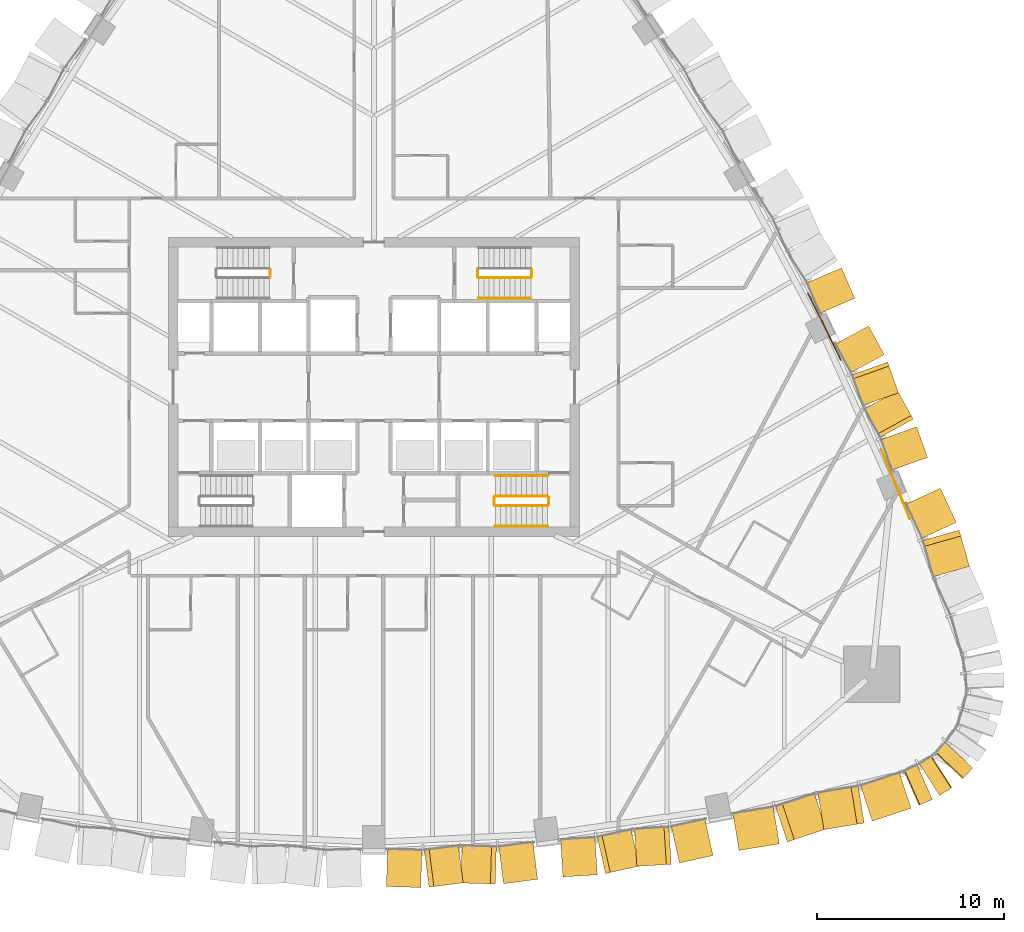
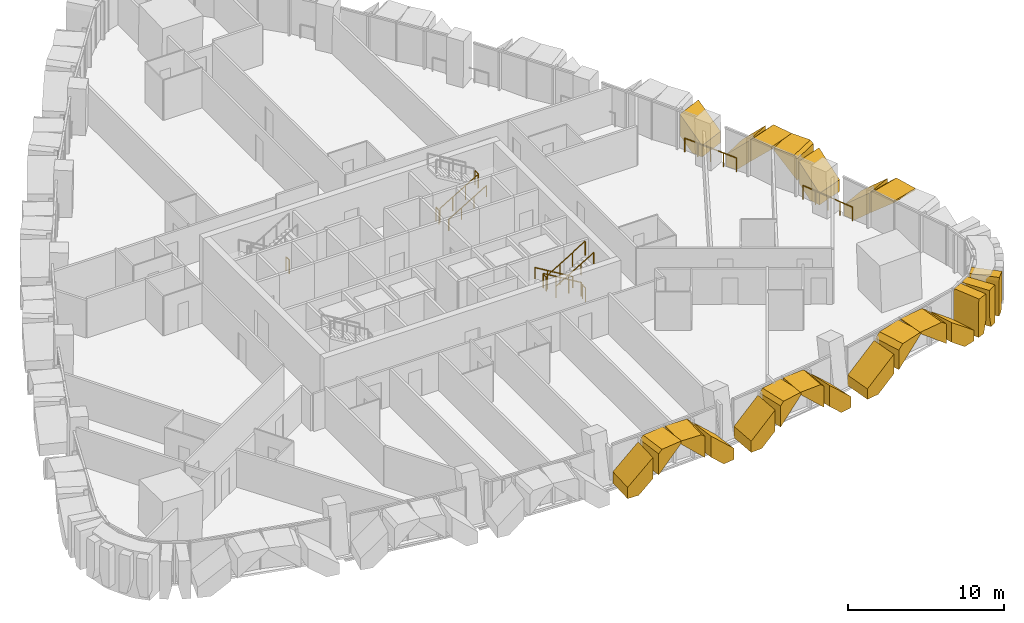
# One storey, part 19 of 22: 22 coverings, 13 railings.
"""IFC4 building model written with IfcOpenShell, lengths in metres."""

from ifc_helpers import new_model, si_unit, direction, frame, origin, origin_2d, place, context, subcontext, project, spatial, polyline, circle, outline, extrude, material, layer, layer_set, type_object, element, save


model = new_model("IFC4")

# Units and contexts
model_context = context("Model", 3, precision=1e-05, world=origin(), true_north=direction((0.0, 1.0)))
body_context = subcontext(model_context, "Body", "Model", "MODEL_VIEW")
ifc_project = project(units=[si_unit("LENGTHUNIT", "METRE"), si_unit("AREAUNIT", "SQUARE_METRE"), si_unit("VOLUMEUNIT", "CUBIC_METRE"), si_unit("PLANEANGLEUNIT", "RADIAN"), si_unit("MASSUNIT", "GRAM", prefix="KILO")], contexts=[model_context])

# Site, building, storey
site_placement = place(None, origin())
site = spatial("IfcSite", under=ifc_project, at=site_placement, CompositionType="ELEMENT")
building_placement = place(site_placement, origin())
building = spatial("IfcBuilding", under=site, at=building_placement, Name="Sierra Prisma Convention Tower", CompositionType="ELEMENT")
storey_placement = place(building_placement, frame((0.0, 0.0, 66.5)))
storey = spatial("IfcBuildingStorey", under=building, at=storey_placement, Name="L12", CompositionType="ELEMENT", Elevation=66.5)

# Coverings
ifc_material_1 = material(Name="Aluminium 6063-T6 bronze anodised", Category="aluminium")
ifc_layer = layer(ifc_material_1, 2.0)
ifc_layer_set = layer_set([ifc_layer], Name="Bronze crystal chevron frame")
covering_type = type_object("IfcCoveringType", Name="Bronze crystal chevron frame", PredefinedType="CLADDING", material=ifc_layer_set)
covering_1_placement = place(storey_placement, frame((0.666259765625, -26.74560546875, 0.0), z_axis=(-0.031413973016, -0.999506459355, 2.463862e-06), x_axis=(0.999506459358, -0.031413973016, -1.9e-11)))
element("IfcCovering", 1, at=covering_1_placement, inside=storey, type_object=covering_type, Name="CW-2 chevron frame S4.1.1", PredefinedType="CLADDING", context=body_context, shape_type="SweptSolid", body=[
    extrude(outline(polyline([(0.0, 0.0), (0.8158325296445422, -1.3234889800848443e-23), (1.8419734671759855, 0.9650878906625727), (1.8419734671450005, 2.612548828157572), (-1.655324713621479e-11, 0.8801269531223285), (0.0, 0.0)])), origin(), (0.0, 0.0, -1.0), 2.0),
])
covering_2_placement = place(storey_placement, frame((2.9501953125, -26.782470703125, 2.73486328125), z_axis=(0.125270187992, -0.992122663215, 3.3695027e-05), x_axis=(4.220982e-06, -3.34296e-05, -0.999999999432)))
element("IfcCovering", 2, at=covering_2_placement, inside=storey, type_object=covering_type, Name="CW-2 chevron frame S4.1.2", PredefinedType="CLADDING", context=body_context, shape_type="SweptSolid", body=[
    extrude(outline(polyline([(0.0, 0.0), (1.6474609365647737, 1.3954536933769577e-21), (-0.08496093773006458, 1.841656822128113), (-0.24511718763914753, 1.841656822128113), (-0.24511718969143445, 0.2606064712260061), (0.0, 0.0)])), origin(), (0.0, 0.0, -1.0), 2.0),
])
covering_3_placement = place(storey_placement, frame((4.6533203125, -26.5576171875, 2.97998046875), z_axis=(-0.031409418613, -0.999506600932, 5.5824783e-05), x_axis=(-1.753424e-06, -5.5797239e-05, -0.999999998442)))
element("IfcCovering", 3, at=covering_3_placement, inside=storey, type_object=covering_type, Name="CW-2 chevron frame S4.2.1", PredefinedType="CLADDING", context=body_context, shape_type="SweptSolid", body=[
    extrude(outline(polyline([(0.0, 0.0), (0.16015624975044404, 0.0), (1.8925781228148635, 1.8417294470192263), (0.2451171878819424, 1.8417294470192263), (-5.633269692584832e-09, 1.5810992065186444), (0.0, 0.0)])), origin(), (0.0, 0.0, -1.0), 2.0),
])
covering_4_placement = place(storey_placement, frame((8.764404296875, -26.36376953125, 0.0), z_axis=(0.125235705145, -0.992127016208, -4.3201949e-05), x_axis=(5.410427e-06, -4.2861821e-05, 0.999999999067)))
element("IfcCovering", 4, at=covering_4_placement, inside=storey, type_object=covering_type, Name="CW-2 chevron frame S4.2.2", PredefinedType="CLADDING", context=body_context, shape_type="SweptSolid", body=[
    extrude(outline(polyline([(0.0, 0.0), (0.8801269523036619, 0.0), (2.6125488274882067, 1.8418990392387184), (0.9650878915256241, 1.8418990392387184), (-4.7175113326491374e-09, 0.8157347623533355), (0.0, 0.0)])), origin(), (0.0, 0.0, -1.0), 2.0),
])
covering_5_placement = place(storey_placement, frame((10.12109375, -26.23388671875, 0.0), z_axis=(0.062958941546, -0.998016116406, 5.5443445e-05), x_axis=(0.99801611794, 0.062958941642, -9.508e-09)))
element("IfcCovering", 5, at=covering_5_placement, inside=storey, type_object=covering_type, Name="CW-2 chevron frame S5.1.1", PredefinedType="CLADDING", context=body_context, shape_type="SweptSolid", body=[
    extrude(outline(polyline([(0.0, 0.0), (0.8165525340398814, -4.235164736271502e-22), (1.8449721631125364, 0.9658203315263547), (1.8449721474601688, 2.6120605633711036), (-8.361238044253312e-09, 0.8793945298983814), (0.0, 0.0)])), origin(), (0.0, 0.0, -1.0), 2.0),
])
covering_6_placement = place(storey_placement, frame((12.4013671875, -26.05517578125, 2.734130859375), z_axis=(0.218360287492, -0.975868221026, -6.152207e-06), x_axis=(-1.343398e-06, 6.003743e-06, -0.999999999981)))
element("IfcCovering", 6, at=covering_6_placement, inside=storey, type_object=covering_type, Name="CW-2 chevron frame S5.1.2", PredefinedType="CLADDING", context=body_context, shape_type="SweptSolid", body=[
    extrude(outline(polyline([(0.0, 0.0), (1.6462402343438454, -3.486049294028166e-22), (-0.08642578125766974, 1.8448112149294307), (-0.2458496093796527, 1.8448112149294307), (-0.24584960944799644, 0.2616832193570968), (0.0, 0.0)])), origin(), (0.0, 0.0, -1.0), 2.0),
])
covering_7_placement = place(storey_placement, frame((14.078857421875, -25.669921875, 2.97998046875), z_axis=(0.062981388515, -0.998014700442, -4.9022079e-05), x_axis=(-3.087479e-06, 4.8924756e-05, -0.999999998798)))
element("IfcCovering", 7, at=covering_7_placement, inside=storey, type_object=covering_type, Name="CW-2 chevron frame S5.2.1", PredefinedType="CLADDING", context=body_context, shape_type="SweptSolid", body=[
    extrude(outline(polyline([(0.0, 0.0), (0.15942382793343918, -1.3503723499928177e-22), (1.8920898420673158, 1.8449721730332358), (0.2458496096704085, 1.8449721730332358), (-4.339307314705429e-09, 1.5829710793121736), (0.0, 0.0)])), origin(), (0.0, 0.0, -1.0), 2.0),
])
covering_8_placement = place(storey_placement, frame((18.159423828125, -25.08837890625, 0.0), z_axis=(0.21835428884, -0.975869563232, -1.0175285e-05), x_axis=(2.221817e-06, -9.929751e-06, 0.999999999948)))
element("IfcCovering", 8, at=covering_8_placement, inside=storey, type_object=covering_type, Name="CW-2 chevron frame S5.2.2", PredefinedType="CLADDING", context=body_context, shape_type="SweptSolid", body=[
    extrude(outline(polyline([(0.0, 0.0), (0.8793945312044754, -3.724380708020007e-22), (2.612060546839776, 1.844811214903875), (0.9658203125499989, 1.844811214903875), (-2.6149520203069914e-10, 0.8163234901979212), (0.0, 0.0)])), origin(), (0.0, 0.0, -1.0), 2.0),
])
covering_9_placement = place(storey_placement, frame((19.548828125, -24.816162109375, 0.0), z_axis=(0.161106285248, -0.986937061597, 3.604171e-05), x_axis=(0.986937062239, 0.161106285352, -3.394e-09)))
element("IfcCovering", 9, at=covering_9_placement, inside=storey, type_object=covering_type, Name="CW-2 chevron frame S6.1.1", PredefinedType="CLADDING", context=body_context, shape_type="SweptSolid", body=[
    extrude(outline(polyline([(0.0, 0.0), (0.9006677190209195, 8.470329472543003e-22), (2.1880116643637058, 1.029785164344298), (2.1880116591488785, 2.5664062570962587), (-2.7706359507305715e-09, 0.8164062494697422), (0.0, 0.0)])), origin(), (0.0, 0.0, -1.0), 2.0),
])
covering_10_placement = place(storey_placement, frame((22.13916015625, -24.358154296875, 2.67041015625), z_axis=(0.313536643792, -0.949576097634, 8.832467e-05), x_axis=(2.7693021e-05, -8.3870995e-05, -0.999999996099)))
element("IfcCovering", 10, at=covering_10_placement, inside=storey, type_object=covering_type, Name="CW-2 chevron frame S6.1.2", PredefinedType="CLADDING", context=body_context, shape_type="SweptSolid", body=[
    extrude(outline(polyline([(0.0, 0.0), (1.5366210877562194, 0.0), (-0.21337890783272376, 2.187971336640772), (-0.3095703137075173, 2.187971336640772), (-0.3095703264454914, 0.38725655708810175), (0.0, 0.0)])), origin(), (0.0, 0.0, -1.0), 2.0),
])
covering_11_placement = place(storey_placement, frame((24.09619140625, -23.70166015625, 2.97998046875), z_axis=(0.161114038621, -0.986935794475, -6.4365629e-05), x_axis=(-1.0370206e-05, 6.3524743e-05, -0.999999997929)))
element("IfcCovering", 11, at=covering_11_placement, inside=storey, type_object=covering_type, Name="CW-2 chevron frame S6.2.1", PredefinedType="CLADDING", context=body_context, shape_type="SweptSolid", body=[
    extrude(outline(polyline([(0.0, 0.0), (0.09619140605074267, 1.6295458067294645e-22), (1.8461914037082046, 2.1880116680825483), (0.3095703131412647, 2.1880116680825483), (-6.764634733218735e-09, 1.8008535344093262), (0.0, 0.0)])), origin(), (0.0, 0.0, -1.0), 2.0),
])
covering_12_placement = place(storey_placement, frame((28.76416015625, -22.5576171875, 0.0), z_axis=(0.313494627853, -0.949589972656, -4.624123e-05), x_axis=(1.4496377e-05, -4.3910209e-05, 0.999999998931)))
element("IfcCovering", 12, at=covering_12_placement, inside=storey, type_object=covering_type, Name="CW-2 chevron frame S6.2.2", PredefinedType="CLADDING", context=body_context, shape_type="SweptSolid", body=[
    extrude(outline(polyline([(0.0, 0.0), (0.8164062491271591, -1.3830459841886623e-21), (2.5664062494581286, 2.188203166778721), (1.0297851573509698, 2.188203166778721), (-5.031363967352608e-09, 0.9005892255752622), (0.0, 0.0)])), origin(), (0.0, 0.0, -1.0), 2.0),
])
covering_13_placement = place(storey_placement, frame((29.181884765625, -22.3974609375, 0.0), z_axis=(0.401662835594, -0.91578762076, 1.2882065e-05), x_axis=(0.915787620836, 0.401662835627, 7.2e-11)))
element("IfcCovering", 13, at=covering_13_placement, inside=storey, type_object=covering_type, Name="CW-2 chevron frame SE1.1.1", PredefinedType="CLADDING", context=body_context, shape_type="SweptSolid", body=[
    extrude(outline(polyline([(0.0, 0.0), (0.55797606775266, 0.0), (0.7859111213284946, 0.9257812499025428), (0.7859111214757843, 2.979980468482098), (0.05575014514344629, 2.979980469457753), (1.9745992206583128e-10, 2.753906249771498), (0.0, 0.0)])), origin(), (0.0, 0.0, -1.0), 2.0),
])
covering_14_placement = place(storey_placement, frame((30.29248046875, -21.872314453125, 2.97998046875), z_axis=(0.539976168439, -0.841680305977, -6.90958e-06), x_axis=(-3.731008e-06, 5.815657e-06, -0.999999999976)))
element("IfcCovering", 14, at=covering_14_placement, inside=storey, type_object=covering_type, Name="CW-2 chevron frame SE1.1.2", PredefinedType="CLADDING", context=body_context, shape_type="SweptSolid", body=[
    extrude(outline(polyline([(0.0, 0.0), (2.054199218700964, 0.0), (2.979980469228092, 0.22775073952826577), (2.97998046875466, 0.7857887035440834), (0.2260742188203987, 0.7857887035440834), (3.2671750468473524e-10, 0.7301198345325846), (0.0, 0.0)])), origin(), (0.0, 0.0, -1.0), 2.0),
])
covering_15_placement = place(storey_placement, frame((31.5244140625, -20.97509765625, 0.0), z_axis=(0.726428871916, -0.687241654767, -4.4720596e-05), x_axis=(0.687241655454, 0.726428872643, -6.416e-09)))
element("IfcCovering", 15, at=covering_15_placement, inside=storey, type_object=covering_type, Name="CW-2 chevron frame SE2.1.1", PredefinedType="CLADDING", context=body_context, shape_type="SweptSolid", body=[
    extrude(outline(polyline([(0.0, 0.0), (0.5578225897581908, 1.6940658945086007e-21), (0.7857835014092116, 0.9257812550951602), (0.785783488228863, 2.979980471791031), (0.05560488905639968, 2.979980473272366), (-1.7669875410053793e-08, 2.7539062472461877), (0.0, 0.0)])), origin(), (0.0, 0.0, -1.0), 2.0),
])
covering_16_placement = place(storey_placement, frame((31.888671875, -9.608642578125, 2.97998046875), z_axis=(0.962100542273, 0.272694969692, 7.902727e-06), x_axis=(7.603218e-06, 2.155034e-06, -0.999999999969)))
element("IfcCovering", 16, at=covering_16_placement, inside=storey, type_object=covering_type, Name="CW-2 chevron frame NE1.2.1", PredefinedType="CLADDING", context=body_context, shape_type="SweptSolid", body=[
    extrude(outline(polyline([(0.0, 0.0), (0.12402343749612717, 0.0), (1.86621093745932, 2.0206736242612617), (0.2817382812587977, 2.0206736242612617), (-1.0670087772387507e-10, 1.6938378912468188), (0.0, 0.0)])), origin(), (0.0, 0.0, -1.0), 2.0),
])
covering_17_placement = place(storey_placement, frame((30.335205078125, -5.414794921875, 0.0), z_axis=(0.907588310429, 0.419861236357, 3.1252443e-05), x_axis=(-2.8364352e-05, -1.3121689e-05, 0.999999999512)))
element("IfcCovering", 17, at=covering_17_placement, inside=storey, type_object=covering_type, Name="CW-2 chevron frame NE1.2.2", PredefinedType="CLADDING", context=body_context, shape_type="SweptSolid", body=[
    extrude(outline(polyline([(0.0, 0.0), (0.843994140212829, 0.0), (2.586181640340403, 2.0207082979316713), (1.0017089848641922, 2.0207082979316713), (-2.3719204354392736e-09, 0.8586808922625732), (0.0, 0.0)])), origin(), (0.0, 0.0, -1.0), 2.0),
])
covering_18_placement = place(storey_placement, frame((29.64404296875, -3.769287109375, 0.0), z_axis=(0.94177379564, 0.336247107914, -1.6320983e-05), x_axis=(-0.336247107958, 0.941773795765, -8.71e-10)))
element("IfcCovering", 18, at=covering_18_placement, inside=storey, type_object=covering_type, Name="CW-2 chevron frame NE2.1.1", PredefinedType="CLADDING", context=body_context, shape_type="SweptSolid", body=[
    extrude(outline(polyline([(0.0, 0.0), (0.7927553977880705, 8.470329472543003e-22), (1.7433491404710089, 0.941162111019157), (1.7433491389995823, 2.6301269545442088), (-7.87398252323444e-10, 0.9038085936296243), (0.0, 0.0)])), origin(), (0.0, 0.0, -1.0), 2.0),
])
covering_19_placement = place(storey_placement, frame((28.87646484375, -1.722900390625, 2.7587890625), z_axis=(0.877532688021, 0.479516820342, 2.1553557e-05), x_axis=(1.8913951e-05, 1.0335293e-05, -0.999999999768)))
element("IfcCovering", 19, at=covering_19_placement, inside=storey, type_object=covering_type, Name="CW-2 chevron frame NE2.1.2", PredefinedType="CLADDING", context=body_context, shape_type="SweptSolid", body=[
    extrude(outline(polyline([(0.0, 0.0), (1.6887207027327475, 0.0), (-0.03735351571907936, 1.7432825726675405), (-0.22119140630137787, 1.7432825726675405), (-0.22119140717128588, 0.22342935371660133), (0.0, 0.0)])), origin(), (0.0, 0.0, -1.0), 2.0),
])
covering_20_placement = place(storey_placement, frame((28.09130859375, -0.306396484375, 2.97998046875), z_axis=(0.941777914804, 0.336235569879, -2.71148e-05), x_axis=(-2.553612e-05, -9.11696e-06, -0.999999999632)))
element("IfcCovering", 20, at=covering_20_placement, inside=storey, type_object=covering_type, Name="CW-2 chevron frame NE2.2.1", PredefinedType="CLADDING", context=body_context, shape_type="SweptSolid", body=[
    extrude(outline(polyline([(0.0, 0.0), (0.18383789055742006, -3.114335006262149e-22), (1.909912108835527, 1.7433491413483047), (0.22119140633131135, 1.7433491413483047), (-1.3767282497467834e-09, 1.5198693761089388), (0.0, 0.0)])), origin(), (0.0, 0.0, -1.0), 2.0),
])
covering_21_placement = place(storey_placement, frame((26.48779296875, 3.27001953125, 0.0), z_axis=(0.877565567726, 0.479456644842, -7.707048e-06), x_axis=(6.76344e-06, 3.695195e-06, 0.99999999997)))
element("IfcCovering", 21, at=covering_21_placement, inside=storey, type_object=covering_type, Name="CW-2 chevron frame NE2.2.2", PredefinedType="CLADDING", context=body_context, shape_type="SweptSolid", body=[
    extrude(outline(polyline([(0.0, 0.0), (0.9038085937231576, 3.8277782845891356e-22), (2.630126953102791, 1.7434968176482122), (0.941162109402952, 1.7434968176482122), (-1.540070837522238e-10, 0.7928652012044045), (0.0, 0.0)])), origin(), (0.0, 0.0, -1.0), 2.0),
])
covering_22_placement = place(storey_placement, frame((25.748046875, 4.753662109375, 0.0), z_axis=(0.917254827385, 0.398300867383, 2.6104817e-05), x_axis=(-0.398300867519, 0.917254827697, -2.19e-09)))
element("IfcCovering", 22, at=covering_22_placement, inside=storey, type_object=covering_type, Name="CW-2 chevron frame NE3.1.1", PredefinedType="CLADDING", context=body_context, shape_type="SweptSolid", body=[
    extrude(outline(polyline([(0.0, 0.0), (0.8000611924242522, 8.470329472543003e-22), (1.7750614623374295, 0.949218754209928), (1.7750614586704418, 2.62402344113927), (-1.9612503663895206e-09, 0.8957519528197897), (0.0, 0.0)])), origin(), (0.0, 0.0, -1.0), 2.0),
])

# Railings
ifc_material_2 = material(Name="Stainless steel", Category="steel")
railing_type_1 = type_object("IfcRailingType", Name="Exit stair handrail", PredefinedType="HANDRAIL", material=ifc_material_2)
railing_1_placement = place(storey_placement, frame((9.300048828125, -4.75, 0.168212890625)))
element("IfcRailing", 23, at=railing_1_placement, inside=storey, type_object=railing_type_1, Name="L12 S2 stair handrail 1", PredefinedType="HANDRAIL", context=body_context, shape_type="SweptSolid", body=[
    extrude(circle(Radius=0.02392578125, at=origin_2d()), frame((0.0, 0.0, 0.8759765625), z_axis=(-0.857242210791, 0.0, 0.514913383045), x_axis=(0.0, -1.0, 0.0)), (0.0, 0.0, 1.0), 3.266357421875),
    extrude(circle(Radius=0.02099609375, at=origin_2d()), origin(), (0.0, 0.0, 1.0), 0.851806640625),
    extrude(circle(Radius=0.02099609375, at=origin_2d()), frame((-0.933349609375, 0.0, 0.560546875)), (0.0, 0.0, 1.0), 0.851806640625),
    extrude(circle(Radius=0.02099609375, at=origin_2d()), frame((-1.86669921875, 0.0, 1.121337890625)), (0.0, 0.0, 1.0), 0.851806640625),
    extrude(circle(Radius=0.02099609375, at=origin_2d()), frame((-2.800048828125, 0.0, 1.681884765625)), (0.0, 0.0, 1.0), 0.851806640625),
])
railing_2_placement = place(storey_placement, frame((6.5, -7.449951171875, 2.01806640625)))
element("IfcRailing", 24, at=railing_2_placement, inside=storey, type_object=railing_type_1, Name="L12 S2 stair handrail 2", PredefinedType="HANDRAIL", context=body_context, shape_type="SweptSolid", body=[
    extrude(circle(Radius=0.02392578125, at=origin_2d()), frame((0.0, 0.0, 0.8759765625), z_axis=(0.857242210791, 0.0, 0.514913383045), x_axis=(0.0, 1.0, 0.0)), (0.0, 0.0, 1.0), 3.266357421875),
    extrude(circle(Radius=0.02099609375, at=origin_2d()), origin(), (0.0, 0.0, 1.0), 0.851806640625),
    extrude(circle(Radius=0.02099609375, at=origin_2d()), frame((0.933349609375, 0.0, 0.560546875)), (0.0, 0.0, 1.0), 0.851806640625),
    extrude(circle(Radius=0.02099609375, at=origin_2d()), frame((1.86669921875, 0.0, 1.121337890625)), (0.0, 0.0, 1.0), 0.851806640625),
    extrude(circle(Radius=0.02099609375, at=origin_2d()), frame((2.800048828125, 0.0, 1.681884765625)), (0.0, 0.0, 1.0), 0.851806640625),
])
railing_3_placement = place(storey_placement, frame((5.60009765625, 4.75, 0.168212890625)))
element("IfcRailing", 25, at=railing_3_placement, inside=storey, type_object=railing_type_1, Name="L12 S4 stair handrail 1", PredefinedType="HANDRAIL", context=body_context, shape_type="SweptSolid", body=[
    extrude(circle(Radius=0.02392578125, at=origin_2d()), frame((0.0, 0.0, 0.8759765625), z_axis=(0.857222391501, 0.0, 0.514946377315), x_axis=(0.0, 1.0, 0.0)), (0.0, 0.0, 1.0), 3.26611328125),
    extrude(circle(Radius=0.02099609375, at=origin_2d()), origin(), (0.0, 0.0, 1.0), 0.851806640625),
    extrude(circle(Radius=0.02099609375, at=origin_2d()), frame((0.933349609375, 0.0, 0.560546875)), (0.0, 0.0, 1.0), 0.851806640625),
    extrude(circle(Radius=0.02099609375, at=origin_2d()), frame((1.866455078125, 0.0, 1.121337890625)), (0.0, 0.0, 1.0), 0.851806640625),
    extrude(circle(Radius=0.02099609375, at=origin_2d()), frame((2.7998046875, 0.0, 1.681884765625)), (0.0, 0.0, 1.0), 0.851806640625),
])
ifc_material_3 = material(Name="Bronze anodised aluminium", Category="aluminium")
railing_type_2 = type_object("IfcRailingType", Name="Facade guard 1100", PredefinedType="GUARDRAIL", material=ifc_material_3)
railing_4_placement = place(storey_placement, frame((28.694091796875, -7.048095703125, 0.0)))
element("IfcRailing", 26, at=railing_4_placement, inside=storey, type_object=railing_type_2, Name="Facade guard", PredefinedType="GUARDRAIL", context=body_context, shape_type="SweptSolid", body=[
    extrude(circle(Radius=0.02392578125, at=origin_2d()), frame((0.0, 0.0, 1.076171875), z_axis=(-0.374168240023, 0.927360840319, 0.0), x_axis=(-0.927360840319, -0.374168240023, 0.0)), (0.0, 0.0, 1.0), 0.99951171875),
    extrude(circle(Radius=0.02392578125, at=origin_2d()), frame((-0.3740234375, 0.927001953125, 1.076171875), z_axis=(-0.37612678637, 0.92656820611, 0.0), x_axis=(-0.92656820611, -0.37612678637, 0.0)), (0.0, 0.0, 1.0), 0.994384765625),
    extrude(circle(Radius=0.02392578125, at=origin_2d()), frame((-0.748046875, 1.848388671875, 1.076171875), z_axis=(-0.38695438, 0.922098860101, 0.0), x_axis=(-0.922098860101, -0.38695438, 0.0)), (0.0, 0.0, 1.0), 1.0),
    extrude(circle(Radius=0.02392578125, at=origin_2d()), frame((-1.135009765625, 2.7705078125, 1.076171875), z_axis=(-0.389648000417, 0.920963862359, 0.0), x_axis=(-0.920963862359, -0.389648000417, 0.0)), (0.0, 0.0, 1.0), 0.994384765625),
    extrude(circle(Radius=0.02099609375, at=origin_2d()), origin(), (0.0, 0.0, 1.0), 1.052001953125),
    extrude(circle(Radius=0.02099609375, at=origin_2d()), frame((-0.3740234375, 0.927001953125, 0.0)), (0.0, 0.0, 1.0), 1.052001953125),
    extrude(circle(Radius=0.02099609375, at=origin_2d()), frame((-0.748046875, 1.848388671875, 0.0)), (0.0, 0.0, 1.0), 1.052001953125),
    extrude(circle(Radius=0.02099609375, at=origin_2d()), frame((-1.135009765625, 2.7705078125, 0.0)), (0.0, 0.0, 1.0), 1.052001953125),
    extrude(circle(Radius=0.02099609375, at=origin_2d()), frame((-1.5224609375, 3.686279296875, 0.0)), (0.0, 0.0, 1.0), 1.052001953125),
])
railing_5_placement = place(storey_placement, frame((24.999267578125, 1.443603515625, 0.0)))
element("IfcRailing", 27, at=railing_5_placement, inside=storey, type_object=railing_type_2, Name="Facade guard", PredefinedType="GUARDRAIL", context=body_context, shape_type="SweptSolid", body=[
    extrude(circle(Radius=0.02392578125, at=origin_2d()), frame((0.0, 0.0, 1.076171875), z_axis=(-0.43301833784, 0.901385111422, 0.0), x_axis=(-0.901385111422, -0.43301833784, 0.0)), (0.0, 0.0, 1.0), 0.99462890625),
    extrude(circle(Radius=0.02392578125, at=origin_2d()), frame((-0.4306640625, 0.896484375, 1.076171875), z_axis=(-0.437423040912, 0.899255849733, 0.0), x_axis=(-0.899255849733, -0.437423040912, 0.0)), (0.0, 0.0, 1.0), 1.000244140625),
    extrude(circle(Radius=0.02392578125, at=origin_2d()), frame((-0.8681640625, 1.7958984375, 1.076171875), z_axis=(-0.446132925371, 0.894966710498, 0.0), x_axis=(-0.894966710498, -0.446132925371, 0.0)), (0.0, 0.0, 1.0), 0.994384765625),
    extrude(circle(Radius=0.02392578125, at=origin_2d()), frame((-1.311767578125, 2.685791015625, 1.076171875), z_axis=(-0.449653043051, 0.893203303216, 0.0), x_axis=(-0.893203303216, -0.449653043051, 0.0)), (0.0, 0.0, 1.0), 1.0),
    extrude(circle(Radius=0.02099609375, at=origin_2d()), origin(), (0.0, 0.0, 1.0), 1.052001953125),
    extrude(circle(Radius=0.02099609375, at=origin_2d()), frame((-0.4306640625, 0.896484375, 0.0)), (0.0, 0.0, 1.0), 1.052001953125),
    extrude(circle(Radius=0.02099609375, at=origin_2d()), frame((-0.8681640625, 1.7958984375, 0.0)), (0.0, 0.0, 1.0), 1.052001953125),
    extrude(circle(Radius=0.02099609375, at=origin_2d()), frame((-1.311767578125, 2.685791015625, 0.0)), (0.0, 0.0, 1.0), 1.052001953125),
    extrude(circle(Radius=0.02099609375, at=origin_2d()), frame((-1.761474609375, 3.5791015625, 0.0)), (0.0, 0.0, 1.0), 1.052001953125),
])
ifc_material_4 = material(Name="Stainless steel", Category="steel")
railing_type_3 = type_object("IfcRailingType", Name="Stair guard 1100", PredefinedType="GUARDRAIL", material=ifc_material_4)
railing_6_placement = place(storey_placement, frame((9.300048828125, -5.85009765625, 0.168212890625)))
element("IfcRailing", 28, at=railing_6_placement, inside=storey, type_object=railing_type_3, Name="L12 S2 stair guard 1", PredefinedType="GUARDRAIL", context=body_context, shape_type="SweptSolid", body=[
    extrude(circle(Radius=0.02392578125, at=origin_2d()), frame((0.0, 0.0, 1.076171875), z_axis=(-0.857242210791, 0.0, 0.514913383045), x_axis=(0.0, -1.0, 0.0)), (0.0, 0.0, 1.0), 3.266357421875),
    extrude(circle(Radius=0.02099609375, at=origin_2d()), origin(), (0.0, 0.0, 1.0), 1.052001953125),
    extrude(circle(Radius=0.02099609375, at=origin_2d()), frame((-0.933349609375, 0.0, 0.560546875)), (0.0, 0.0, 1.0), 1.052001953125),
    extrude(circle(Radius=0.02099609375, at=origin_2d()), frame((-1.86669921875, 0.0, 1.121337890625)), (0.0, 0.0, 1.0), 1.052001953125),
    extrude(circle(Radius=0.02099609375, at=origin_2d()), frame((-2.800048828125, 0.0, 1.681884765625)), (0.0, 0.0, 1.0), 1.052001953125),
])
railing_7_placement = place(storey_placement, frame((6.449951171875, -5.89990234375, 1.85009765625)))
element("IfcRailing", 29, at=railing_7_placement, inside=storey, type_object=railing_type_3, Name="L12 S2 stair guard 2", PredefinedType="GUARDRAIL", context=body_context, shape_type="SweptSolid", body=[
    extrude(circle(Radius=0.02392578125, at=origin_2d()), frame((0.0, 0.0, 1.076171875), z_axis=(0.0, -1.0, 0.0), x_axis=(1.0, 0.0, 0.0)), (0.0, 0.0, 1.0), 0.400146484375),
    extrude(circle(Radius=0.02099609375, at=origin_2d()), origin(), (0.0, 0.0, 1.0), 1.052001953125),
    extrude(circle(Radius=0.02099609375, at=origin_2d()), frame((0.0, -0.400146484375, 0.0)), (0.0, 0.0, 1.0), 1.052001953125),
])
railing_8_placement = place(storey_placement, frame((6.5, -6.35009765625, 2.01806640625)))
element("IfcRailing", 30, at=railing_8_placement, inside=storey, type_object=railing_type_3, Name="L12 S2 stair guard 3", PredefinedType="GUARDRAIL", context=body_context, shape_type="SweptSolid", body=[
    extrude(circle(Radius=0.02392578125, at=origin_2d()), frame((0.0, 0.0, 1.076171875), z_axis=(0.857242210791, 0.0, 0.514913383045), x_axis=(0.0, 1.0, 0.0)), (0.0, 0.0, 1.0), 3.266357421875),
    extrude(circle(Radius=0.02099609375, at=origin_2d()), origin(), (0.0, 0.0, 1.0), 1.052001953125),
    extrude(circle(Radius=0.02099609375, at=origin_2d()), frame((0.933349609375, 0.0, 0.560546875)), (0.0, 0.0, 1.0), 1.052001953125),
    extrude(circle(Radius=0.02099609375, at=origin_2d()), frame((1.86669921875, 0.0, 1.121337890625)), (0.0, 0.0, 1.0), 1.052001953125),
    extrude(circle(Radius=0.02099609375, at=origin_2d()), frame((2.800048828125, 0.0, 1.681884765625)), (0.0, 0.0, 1.0), 1.052001953125),
])
for number, where, name in (
    (31, (9.35009765625, -5.89990234375, 0.0), "L12 S2 stair guard 4"),
    (32, (-5.550048828125, 6.300048828125, 0.0), "L12 S3 stair guard 4"),
):
    element("IfcRailing", number, at=place(storey_placement, frame(where)), inside=storey, type_object=railing_type_3, Name=name, PredefinedType="GUARDRAIL", context=body_context, shape_type="SweptSolid", body=[
        extrude(circle(Radius=0.02392578125, at=origin_2d()), frame((0.0, 0.0, 1.076171875), z_axis=(0.0, -1.0, 0.0), x_axis=(1.0, 0.0, 0.0)), (0.0, 0.0, 1.0), 0.400146484375),
        extrude(circle(Radius=0.02099609375, at=origin_2d()), origin(), (0.0, 0.0, 1.0), 1.052001953125),
        extrude(circle(Radius=0.02099609375, at=origin_2d()), frame((0.0, -0.400146484375, 0.0)), (0.0, 0.0, 1.0), 1.052001953125),
    ])
railing_9_placement = place(storey_placement, frame((5.60009765625, 5.85009765625, 0.168212890625)))
element("IfcRailing", 33, at=railing_9_placement, inside=storey, type_object=railing_type_3, Name="L12 S4 stair guard 1", PredefinedType="GUARDRAIL", context=body_context, shape_type="SweptSolid", body=[
    extrude(circle(Radius=0.02392578125, at=origin_2d()), frame((0.0, 0.0, 1.076171875), z_axis=(0.857222391501, 0.0, 0.514946377315), x_axis=(0.0, 1.0, 0.0)), (0.0, 0.0, 1.0), 3.26611328125),
    extrude(circle(Radius=0.02099609375, at=origin_2d()), origin(), (0.0, 0.0, 1.0), 1.052001953125),
    extrude(circle(Radius=0.02099609375, at=origin_2d()), frame((0.933349609375, 0.0, 0.560546875)), (0.0, 0.0, 1.0), 1.052001953125),
    extrude(circle(Radius=0.02099609375, at=origin_2d()), frame((1.866455078125, 0.0, 1.121337890625)), (0.0, 0.0, 1.0), 1.052001953125),
    extrude(circle(Radius=0.02099609375, at=origin_2d()), frame((2.7998046875, 0.0, 1.681884765625)), (0.0, 0.0, 1.0), 1.052001953125),
])
for number, where, name in (
    (34, (8.449951171875, 5.89990234375, 1.85009765625), "L12 S4 stair guard 2"),
    (35, (5.550048828125, 5.89990234375, 0.0), "L12 S4 stair guard 4"),
):
    element("IfcRailing", number, at=place(storey_placement, frame(where)), inside=storey, type_object=railing_type_3, Name=name, PredefinedType="GUARDRAIL", context=body_context, shape_type="SweptSolid", body=[
        extrude(circle(Radius=0.02392578125, at=origin_2d()), frame((0.0, 0.0, 1.076171875), z_axis=(0.0, 1.0, 0.0), x_axis=(-1.0, 0.0, 0.0)), (0.0, 0.0, 1.0), 0.400146484375),
        extrude(circle(Radius=0.02099609375, at=origin_2d()), origin(), (0.0, 0.0, 1.0), 1.052001953125),
        extrude(circle(Radius=0.02099609375, at=origin_2d()), frame((0.0, 0.400146484375, 0.0)), (0.0, 0.0, 1.0), 1.052001953125),
    ])

save(model, "model.ifc")
